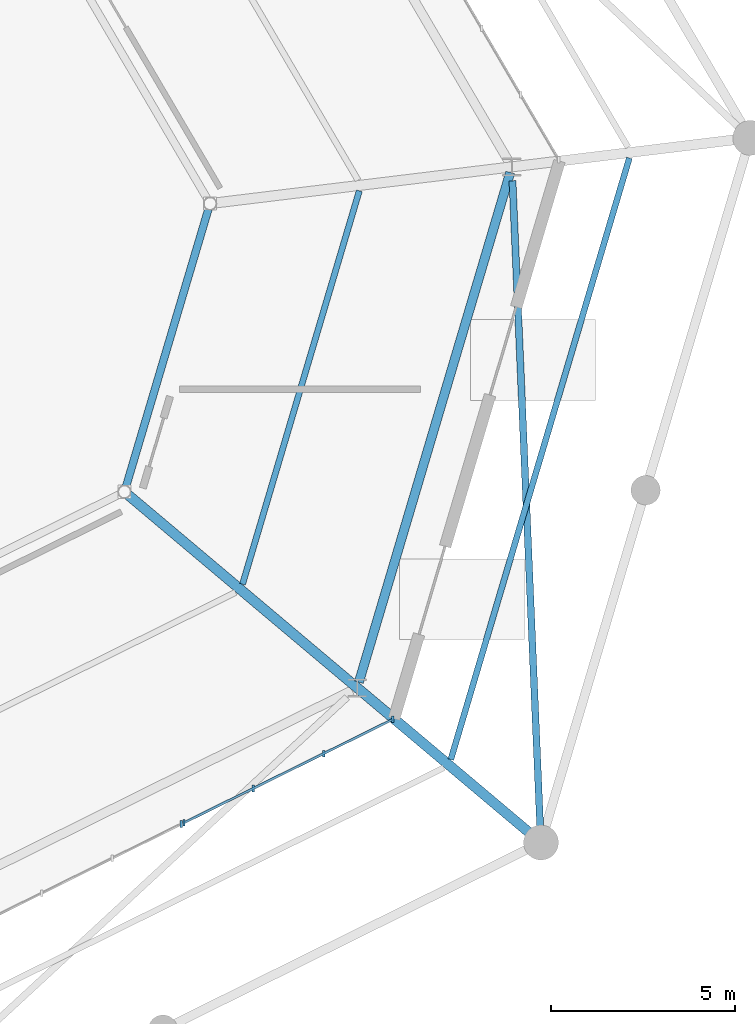
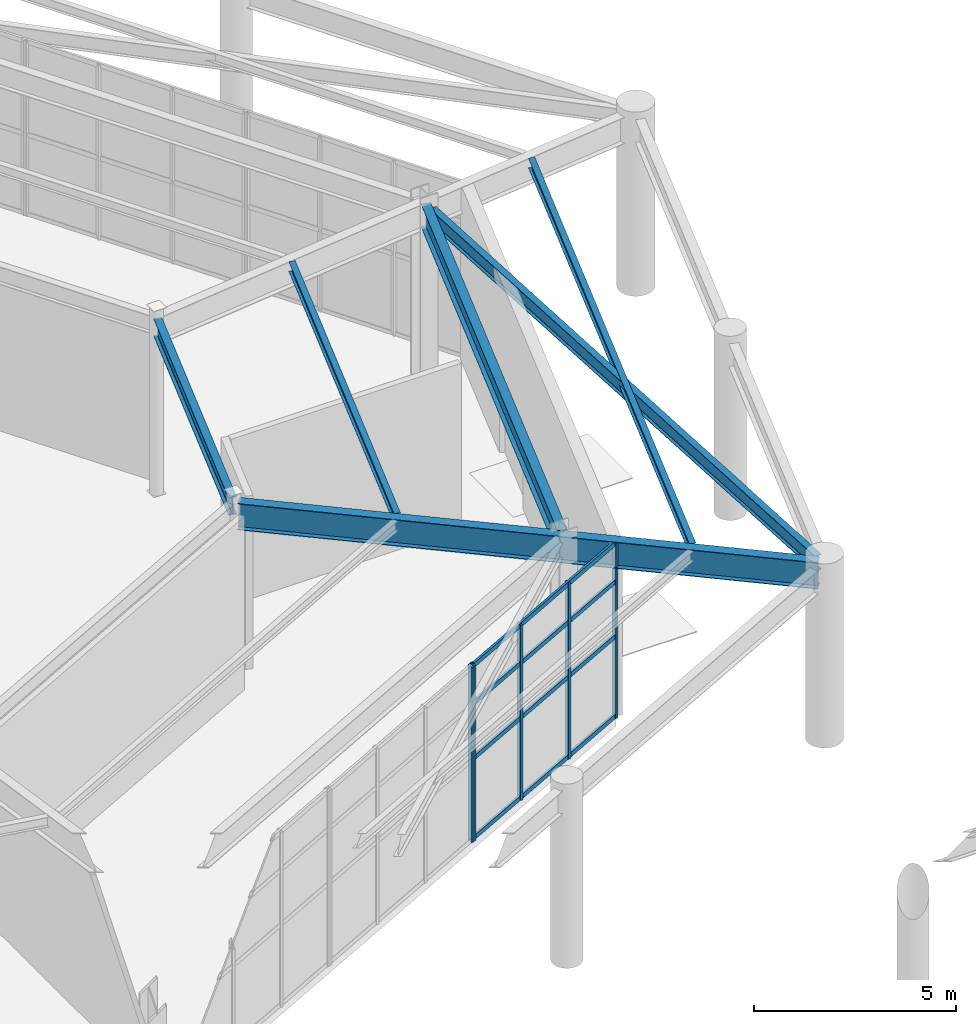
# One storey, part 32 of 70: 9 members, 6 beams, 2 elements without a shape of their own.
"""IFC4 building model written with IfcOpenShell, lengths in metres."""

from ifc_helpers import new_model, si_unit, direction, frame, origin, origin_2d, place, context, subcontext, project, spatial, rectangle, i_section, extrude, material, material_profile, profile_set, type_object, element, aggregate, save


model = new_model("IFC4")

# Units and contexts
model_context = context("Model", 3, precision=1e-05, world=origin(), true_north=direction((0.0, 1.0)))
body_context = subcontext(model_context, "Body", "Model", "MODEL_VIEW")
ifc_project = project(units=[si_unit("LENGTHUNIT", "METRE"), si_unit("AREAUNIT", "SQUARE_METRE"), si_unit("VOLUMEUNIT", "CUBIC_METRE"), si_unit("PLANEANGLEUNIT", "RADIAN"), si_unit("MASSUNIT", "GRAM", prefix="KILO")], contexts=[model_context])

# Site, building, storey
site_placement = place(None, origin())
site = spatial("IfcSite", under=ifc_project, at=site_placement, CompositionType="ELEMENT")
building_placement = place(site_placement, origin())
building = spatial("IfcBuilding", under=site, at=building_placement, Name="Sarnbrook Museum", CompositionType="ELEMENT")
storey_placement = place(building_placement, origin())
storey = spatial("IfcBuildingStorey", under=building, at=storey_placement, Name="L00", CompositionType="ELEMENT", Elevation=0.0)

# Beams
ifc_material_1 = material(Name="Structural Steel Grade 300PLUS (AS/NZS 3679.1, fy = 280 MPa for 17 < t <= 40 mm, 300 MPa for t <= 17 mm)", Category="steel")
ifc_material_profile_1 = material_profile(ifc_material_1, i_section(OverallWidth=0.18994140625, OverallDepth=0.45703125, WebThickness=0.009033203125, FlangeThickness=0.014404296875, FilletRadius=0.011474609375, at=origin_2d()), Name="460UB74.6")
ifc_profile_set_1 = profile_set([ifc_material_profile_1], Name="Structural Steel Grade 300PLUS (AS/NZS 3679.1, fy = 280 MPa for 17 < t <= 40 mm, 300 MPa for t <= 17 mm)")
beam_type_1 = type_object("IfcBeamType", Name="BM-UB460", PredefinedType="BEAM", material=ifc_profile_set_1)
beam_1_placement = place(storey_placement, frame((163.383544921875, 69.08349609375, 5.10009765625), z_axis=(-0.042812154941, 0.999083139378, 0.0), x_axis=(-0.999083139378, -0.042812154941, 0.0)))
element("IfcBeam", 1, at=beam_1_placement, inside=storey, type_object=beam_type_1, Name="Colonnade Ceiling Diagonal Tie Girder 3 L00", PredefinedType="BEAM", context=body_context, shape_type="SweptSolid", body=[
    extrude(i_section(OverallWidth=0.18994140625, OverallDepth=0.45703125, WebThickness=0.009033203125, FlangeThickness=0.014404296875, FilletRadius=0.011474609375, at=origin_2d()), origin(), (0.0, 0.0, 1.0), 17.763671875),
])
ifc_material_profile_2 = material_profile(ifc_material_1, i_section(OverallWidth=0.208984375, OverallDepth=0.532958984375, WebThickness=0.01025390625, FlangeThickness=0.015625, FilletRadius=0.013916015625, at=origin_2d()), Name="530UB92.4")
ifc_profile_set_2 = profile_set([ifc_material_profile_2], Name="Structural Steel Grade 300PLUS (AS/NZS 3679.1, fy = 280 MPa for 17 < t <= 40 mm, 300 MPa for t <= 17 mm)")
beam_type_2 = type_object("IfcBeamType", Name="BM-UB530", PredefinedType="BEAM", material=ifc_profile_set_2)
beam_2_placement = place(storey_placement, frame((152.08447265625, 78.47119140625, 5.073486328125), z_axis=(0.284603578138, 0.958645295879, 0.0), x_axis=(-0.958645295879, 0.284603578138, 0.0)))
element("IfcBeam", 2, at=beam_2_placement, inside=storey, type_object=beam_type_2, Name="Crystal Hall R2 Ring Girder 3 L00", PredefinedType="BEAM", context=body_context, shape_type="SweptSolid", body=[
    extrude(i_section(OverallWidth=0.208984375, OverallDepth=0.532958984375, WebThickness=0.01025390625, FlangeThickness=0.015625, FilletRadius=0.013916015625, at=origin_2d()), origin(), (0.0, 0.0, 1.0), 7.952880859375),
])
ifc_material_2 = material(Name="Structural Steel Grade 350L0 (AS/NZS 3678, fy = 340 MPa for 20 < t <= 40 mm)", Category="steel")
ifc_material_profile_3 = material_profile(ifc_material_2, i_section(OverallWidth=0.25, OverallDepth=0.699951171875, WebThickness=0.010009765625, FlangeThickness=0.01611328125, at=origin_2d()), Name="700WB130")
ifc_profile_set_3 = profile_set([ifc_material_profile_3], Name="Structural Steel Grade 350L0 (AS/NZS 3678, fy = 340 MPa for 20 < t <= 40 mm)")
beam_type_3 = type_object("IfcBeamType", Name="BM-WB700", PredefinedType="BEAM", material=ifc_profile_set_3)
beam_3_placement = place(storey_placement, frame((158.438232421875, 73.169189453125, 4.989990234375), z_axis=(0.284607000201, 0.958644279927, 0.0), x_axis=(-0.958644279927, 0.284607000201, 0.0)))
element("IfcBeam", 3, at=beam_3_placement, inside=storey, type_object=beam_type_3, Name="Crystal Hall R1 Ring Girder 3 L00", PredefinedType="BEAM", context=body_context, shape_type="SweptSolid", body=[
    extrude(i_section(OverallWidth=0.25, OverallDepth=0.699951171875, WebThickness=0.010009765625, FlangeThickness=0.01611328125, at=origin_2d()), origin(), (0.0, 0.0, 1.0), 14.48681640625),
])
ifc_material_profile_4 = material_profile(ifc_material_2, i_section(OverallWidth=0.27490234375, OverallDepth=0.800048828125, WebThickness=0.010009765625, FlangeThickness=0.01611328125, at=origin_2d()), Name="800WB146")
ifc_profile_set_4 = profile_set([ifc_material_profile_4], Name="Structural Steel Grade 350L0 (AS/NZS 3678, fy = 340 MPa for 20 < t <= 40 mm)")
beam_type_4 = type_object("IfcBeamType", Name="CR-CANT", PredefinedType="BEAM", material=ifc_profile_set_4)
beam_4_placement = place(storey_placement, frame((152.14208984375, 78.27880859375, 4.93994140625), z_axis=(0.764962479797, -0.644074843867, 0.0), x_axis=(0.644074843867, 0.764962479797, 0.0)))
element("IfcBeam", 4, at=beam_4_placement, inside=storey, type_object=beam_type_4, Name="Crystal Hall Radial Cantilever Girder 3 L00", PredefinedType="BEAM", context=body_context, shape_type="SweptSolid", body=[
    extrude(i_section(OverallWidth=0.27490234375, OverallDepth=0.800048828125, WebThickness=0.010009765625, FlangeThickness=0.01611328125, at=origin_2d()), origin(), (0.0, 0.0, 1.0), 14.567138671875),
])

# Curtain wall, member
ifc_material_3 = material(Name="Thermally Broken Anodised Aluminium 6063-T6", Category="aluminium")
curtain_wall_type = type_object("IfcCurtainWallType", Name="CurtainWall_Colonnade", PredefinedType="NOTDEFINED", material=ifc_material_3)
curtain_wall_1_placement = place(storey_placement, origin())
curtain_wall_1 = element("IfcCurtainWall", 5, at=curtain_wall_1_placement, inside=storey, type_object=curtain_wall_type, Name="Colonnade Recessed Glazing L00-F2.2", PredefinedType="NOTDEFINED")
ifc_material_profile_5 = material_profile(ifc_material_3, rectangle(XDim=0.06494140625, YDim=0.179931640625, at=origin_2d()), Name="ALU MULLION 65x180")
ifc_profile_set_5 = profile_set([ifc_material_profile_5], Name="Thermally Broken Anodised Aluminium 6063-T6")
member_type_1 = type_object("IfcMemberType", Name="CW_Mullion_180x75", PredefinedType="MULLION", material=ifc_profile_set_5)
member_1_placement = place(storey_placement, frame((153.601806640625, 69.3046875, 0.0), z_axis=(0.0, 0.0, 1.0), x_axis=(1.0, 0.0, 0.0)))
member_1 = element("IfcMember", 6, at=member_1_placement, type_object=member_type_1, Name="Colonnade Recessed Glazing L00-F2.2 Mullion 4", PredefinedType="MULLION", context=body_context, shape_type="SweptSolid", body=[
    extrude(rectangle(XDim=0.06494140625, YDim=0.179931640625, at=origin_2d()), origin(), (0.0, 0.0, 1.0), 5.2900390625),
])
aggregate(curtain_wall_1, [member_1])

# Curtain wall, members
curtain_wall_2_placement = place(storey_placement, origin())
curtain_wall_2 = element("IfcCurtainWall", 7, at=curtain_wall_2_placement, inside=storey, type_object=curtain_wall_type, Name="Colonnade Recessed Glazing L00-F2.3", PredefinedType="NOTDEFINED")
member_2_placement = place(storey_placement, frame((153.673583984375, 69.340087890625, 0.0), z_axis=(0.0, 0.0, 1.0), x_axis=(1.0, 0.0, 0.0)))
member_2 = element("IfcMember", 8, at=member_2_placement, type_object=member_type_1, Name="Colonnade Recessed Glazing L00-F2.3 Mullion 1", PredefinedType="MULLION", context=body_context, shape_type="SweptSolid", body=[
    extrude(rectangle(XDim=0.06494140625, YDim=0.179931640625, at=origin_2d()), origin(), (0.0, 0.0, 1.0), 5.2900390625),
])
member_3_placement = place(storey_placement, frame((155.556640625, 70.2724609375, 0.0), z_axis=(0.0, 0.0, 1.0), x_axis=(1.0, 0.0, 0.0)))
member_3 = element("IfcMember", 9, at=member_3_placement, type_object=member_type_1, Name="Colonnade Recessed Glazing L00-F2.3 Mullion 2", PredefinedType="MULLION", context=body_context, shape_type="SweptSolid", body=[
    extrude(rectangle(XDim=0.06494140625, YDim=0.179931640625, at=origin_2d()), origin(), (0.0, 0.0, 1.0), 5.2900390625),
])
member_4_placement = place(storey_placement, frame((157.475341796875, 71.22265625, 0.0), z_axis=(0.0, 0.0, 1.0), x_axis=(1.0, 0.0, 0.0)))
member_4 = element("IfcMember", 10, at=member_4_placement, type_object=member_type_1, Name="Colonnade Recessed Glazing L00-F2.3 Mullion 3", PredefinedType="MULLION", context=body_context, shape_type="SweptSolid", body=[
    extrude(rectangle(XDim=0.06494140625, YDim=0.179931640625, at=origin_2d()), origin(), (0.0, 0.0, 1.0), 5.2900390625),
])
member_5_placement = place(storey_placement, frame((159.3583984375, 72.155029296875, 0.0), z_axis=(0.0, 0.0, 1.0), x_axis=(1.0, 0.0, 0.0)))
member_5 = element("IfcMember", 11, at=member_5_placement, type_object=member_type_1, Name="Colonnade Recessed Glazing L00-F2.3 Mullion 4", PredefinedType="MULLION", context=body_context, shape_type="SweptSolid", body=[
    extrude(rectangle(XDim=0.06494140625, YDim=0.179931640625, at=origin_2d()), origin(), (0.0, 0.0, 1.0), 5.2900390625),
])
ifc_material_profile_6 = material_profile(ifc_material_3, rectangle(XDim=0.06494140625, YDim=0.139892578125, at=origin_2d()), Name="ALU TRANSOM 65x140")
ifc_profile_set_6 = profile_set([ifc_material_profile_6], Name="Thermally Broken Anodised Aluminium 6063-T6")
member_type_2 = type_object("IfcMemberType", Name="CW_Transom_150x65", PredefinedType="USERDEFINED", material=ifc_profile_set_6)
member_6_placement = place(storey_placement, frame((153.6826171875, 69.344482421875, 0.0400390625), z_axis=(0.896157854612, 0.443735393695, 0.0), x_axis=(-0.443735393695, 0.896157854612, 0.0)))
member_6 = element("IfcMember", 12, at=member_6_placement, type_object=member_type_2, Name="Colonnade Recessed Glazing L00-F2.3 Transom 1", ObjectType="TRANSOM", PredefinedType="USERDEFINED", context=body_context, shape_type="SweptSolid", body=[
    extrude(rectangle(XDim=0.06494140625, YDim=0.139892578125, at=origin_2d()), origin(), (0.0, 0.0, 1.0), 6.323486328125),
])
member_7_placement = place(storey_placement, frame((153.6826171875, 69.344482421875, 2.449951171875), z_axis=(0.896157854612, 0.443735393695, 0.0), x_axis=(-0.443735393695, 0.896157854612, 0.0)))
member_7 = element("IfcMember", 13, at=member_7_placement, type_object=member_type_2, Name="Colonnade Recessed Glazing L00-F2.3 Transom 2", ObjectType="TRANSOM", PredefinedType="USERDEFINED", context=body_context, shape_type="SweptSolid", body=[
    extrude(rectangle(XDim=0.06494140625, YDim=0.139892578125, at=origin_2d()), origin(), (0.0, 0.0, 1.0), 6.323486328125),
])
member_8_placement = place(storey_placement, frame((153.6826171875, 69.344482421875, 4.10009765625), z_axis=(0.896157854612, 0.443735393695, 0.0), x_axis=(-0.443735393695, 0.896157854612, 0.0)))
member_8 = element("IfcMember", 14, at=member_8_placement, type_object=member_type_2, Name="Colonnade Recessed Glazing L00-F2.3 Transom 3", ObjectType="TRANSOM", PredefinedType="USERDEFINED", context=body_context, shape_type="SweptSolid", body=[
    extrude(rectangle(XDim=0.06494140625, YDim=0.139892578125, at=origin_2d()), origin(), (0.0, 0.0, 1.0), 6.323486328125),
])
member_9_placement = place(storey_placement, frame((153.6826171875, 69.344482421875, 5.25), z_axis=(0.896157854612, 0.443735393695, 0.0), x_axis=(-0.443735393695, 0.896157854612, 0.0)))
member_9 = element("IfcMember", 15, at=member_9_placement, type_object=member_type_2, Name="Colonnade Recessed Glazing L00-F2.3 Transom 4", ObjectType="TRANSOM", PredefinedType="USERDEFINED", context=body_context, shape_type="SweptSolid", body=[
    extrude(rectangle(XDim=0.06494140625, YDim=0.139892578125, at=origin_2d()), origin(), (0.0, 0.0, 1.0), 6.323486328125),
])
aggregate(curtain_wall_2, [member_2, member_3, member_4, member_5, member_6, member_7, member_8, member_9])

# Beams
ifc_material_profile_7 = material_profile(ifc_material_1, i_section(OverallWidth=0.1650390625, OverallDepth=0.303955078125, WebThickness=0.006103515625, FlangeThickness=0.01025390625, FilletRadius=0.011474609375, at=origin_2d()), Name="310UB40.4")
ifc_profile_set_7 = profile_set([ifc_material_profile_7], Name="Structural Steel Grade 300PLUS (AS/NZS 3679.1, fy = 280 MPa for 17 < t <= 40 mm, 300 MPa for t <= 17 mm)")
beam_type_5 = type_object("IfcBeamType", Name="JS-UB310", PredefinedType="JOIST", material=ifc_profile_set_7)
beam_5_placement = place(storey_placement, frame((160.94189453125, 71.061279296875, 5.18798828125), z_axis=(0.284598288426, 0.958646866278, 0.0), x_axis=(-0.958646866278, 0.284598288426, 0.0)))
element("IfcBeam", 16, at=beam_5_placement, inside=storey, type_object=beam_type_5, Name="Crystal Hall Tangential Joist MO-3 L00", PredefinedType="JOIST", context=body_context, shape_type="SweptSolid", body=[
    extrude(i_section(OverallWidth=0.1650390625, OverallDepth=0.303955078125, WebThickness=0.006103515625, FlangeThickness=0.01025390625, FilletRadius=0.011474609375, at=origin_2d()), origin(), (0.0, 0.0, 1.0), 17.09765625),
])
beam_6_placement = place(storey_placement, frame((155.26708984375, 75.83935546875, 5.18798828125), z_axis=(0.284608009206, 0.958643980368, 0.0), x_axis=(-0.958643980368, 0.284608009206, 0.0)))
element("IfcBeam", 17, at=beam_6_placement, inside=storey, type_object=beam_type_5, Name="Crystal Hall Tangential Joist MI-3 L00", PredefinedType="JOIST", context=body_context, shape_type="SweptSolid", body=[
    extrude(i_section(OverallWidth=0.1650390625, OverallDepth=0.303955078125, WebThickness=0.006103515625, FlangeThickness=0.01025390625, FilletRadius=0.011474609375, at=origin_2d()), origin(), (0.0, 0.0, 1.0), 11.179931640625),
])

save(model, "model.ifc")
